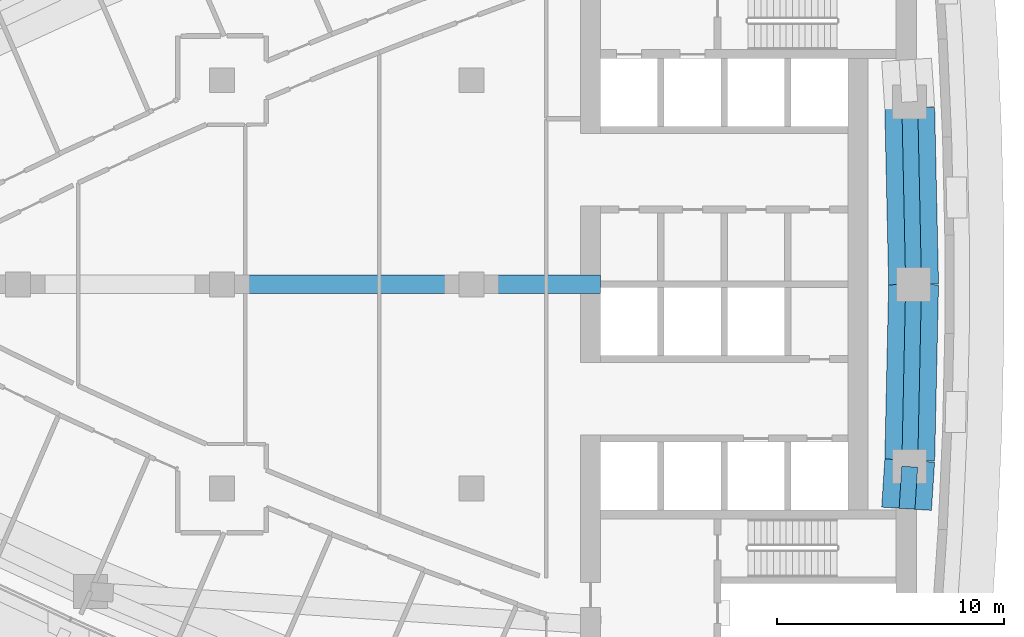
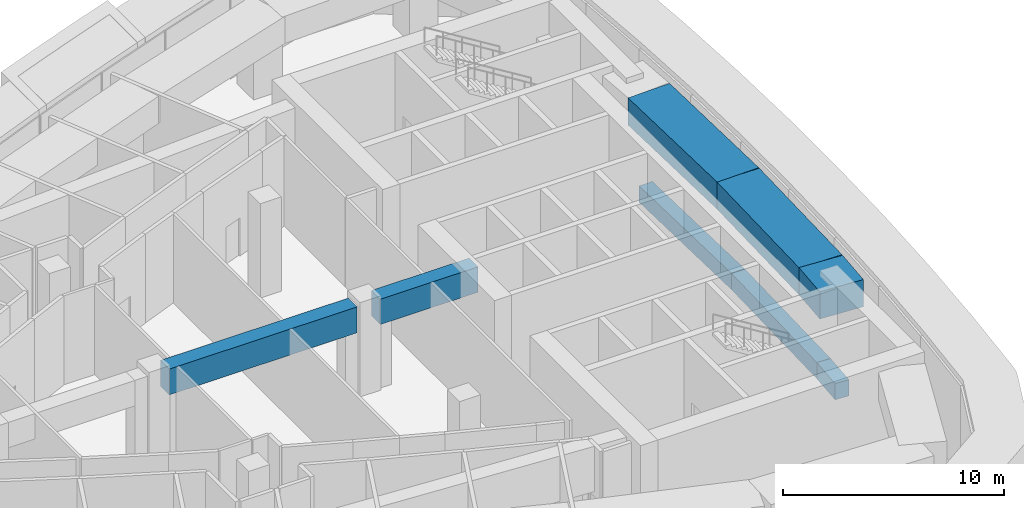
# One storey, part 5 of 18: 8 beams.
"""IFC4 building model written with IfcOpenShell, lengths in metres."""

import ifcopenshell
import ifcopenshell.guid

model = None  # the IFC model being written
_history = None  # IfcOwnerHistory: only IFC2X3 demands one
_inside = {}  # id of a spatial element -> (the spatial element, [elements in it])
_under = {}  # id of a project, library or spatial element -> (it, [spatial elements below it])
_declared = {}  # id of a project -> (the project, [libraries it declares])
_typed = {}  # id of a type object -> (the type object, [elements of that type])
_made_of = {}  # id of a material, layer set ... -> (it, [elements and type objects made of it])


def new_model(schema):
    """Start an empty IFC model of exactly this schema.

    Asked for "IFC4X3", IfcOpenShell would pick the latest addendum, in which some entities
    have other attributes; the version numbers below select the first issue.
    IFC2X3 requires an IfcOwnerHistory on every rooted entity: one is made here for all.
    """
    global model, _history
    if schema == "IFC4X3":
        model = ifcopenshell.file(schema_version=(4, 3, 0, 0))
    else:
        model = ifcopenshell.file(schema=schema)
    _inside.clear()
    _under.clear()
    _declared.clear()
    _typed.clear()
    _made_of.clear()
    _history = None
    if model.schema == "IFC2X3":
        org = make("IfcOrganization", Name="unknown")
        user = make(
            "IfcPersonAndOrganization",
            ThePerson=make("IfcPerson", FamilyName="unknown"),
            TheOrganization=org,
        )
        app = make(
            "IfcApplication",
            ApplicationDeveloper=org,
            Version="unknown",
            ApplicationFullName="unknown",
            ApplicationIdentifier="unknown",
        )
        _history = make(
            "IfcOwnerHistory",
            OwningUser=user,
            OwningApplication=app,
            ChangeAction="ADDED",
            CreationDate=0,
        )
    return model


def make(cls, **values):
    """One entity of the class cls with the attributes given. An attribute that is None is left unset."""
    return model.create_entity(
        cls, **{name: value for name, value in values.items() if value is not None}
    )


def rooted(cls, **values):
    """An entity with a GlobalId (a new one), such as an element, a storey or a relation."""
    return make(cls, GlobalId=ifcopenshell.guid.new(), OwnerHistory=_history, **values)


def si_unit(unit_type, name, prefix=None):
    """IfcSIUnit, for example si_unit("LENGTHUNIT", "METRE", prefix="MILLI")."""
    return make("IfcSIUnit", UnitType=unit_type, Prefix=prefix, Name=name)


def assignment(units):
    """IfcUnitAssignment: the units of a project."""
    return None if units is None else make("IfcUnitAssignment", Units=units)


def point(xyz):
    """IfcCartesianPoint."""
    return None if xyz is None else make("IfcCartesianPoint", Coordinates=xyz)


def direction(xyz):
    """IfcDirection."""
    return None if xyz is None else make("IfcDirection", DirectionRatios=xyz)


def frame(location, z_axis=None, x_axis=None):
    """IfcAxis2Placement3D, a coordinate frame: its origin and axes. An axis left out is left unset."""
    return make(
        "IfcAxis2Placement3D",
        Location=point(location),
        Axis=direction(z_axis),
        RefDirection=direction(x_axis),
    )


def frame_2d(location, x_axis=None):
    """IfcAxis2Placement2D, a coordinate frame in the plane: its origin and x axis."""
    return make(
        "IfcAxis2Placement2D", Location=point(location), RefDirection=direction(x_axis)
    )


def origin():
    """The frame at (0, 0, 0) with its axes left unset."""
    return frame((0.0, 0.0, 0.0))


def origin_2d():
    """The frame at (0, 0) in the plane with its x axis left unset."""
    return frame_2d((0.0, 0.0))


def place(relative_to, where):
    """IfcLocalPlacement: puts the frame where relative to a parent placement (None: the world)."""
    return make(
        "IfcLocalPlacement", PlacementRelTo=relative_to, RelativePlacement=where
    )


def context(
    kind, dimensions, precision=None, world=None, true_north=None, identifier=None
):
    """IfcGeometricRepresentationContext, for example the 3D "Model" context."""
    return make(
        "IfcGeometricRepresentationContext",
        ContextIdentifier=identifier,
        ContextType=kind,
        CoordinateSpaceDimension=dimensions,
        Precision=precision,
        WorldCoordinateSystem=world,
        TrueNorth=true_north,
    )


def subcontext(parent, identifier, kind, view, scale=None):
    """IfcGeometricRepresentationSubContext, for example "Body" below "Model"."""
    return make(
        "IfcGeometricRepresentationSubContext",
        ContextIdentifier=identifier,
        ContextType=kind,
        ParentContext=parent,
        TargetScale=scale,
        TargetView=view,
    )


def project(units=None, contexts=None):
    """IfcProject with its units and contexts."""
    return rooted(
        "IfcProject",
        Name="project",
        RepresentationContexts=contexts,
        UnitsInContext=assignment(units),
    )


def spatial(cls, under=None, at=None, **own):
    """A site, building, storey or space (cls), placed at a placement, below another one or the project."""
    s = rooted(cls, ObjectPlacement=at, **own)
    if under is not None:
        _under.setdefault(under.id(), (under, []))[1].append(s)
    return s


def profile(cls, at=None, kind="AREA", **sizes):
    """A parametric profile (cls). Its sizes go by their IFC names, for example OverallWidth=200.0."""
    return make(cls, ProfileType=kind, Position=at, **sizes)


def rectangle(**sizes):
    """IfcRectangleProfileDef."""
    return profile("IfcRectangleProfileDef", **sizes)


def extrude(swept, where, along, depth):
    """IfcExtrudedAreaSolid: the profile swept, set in the frame where, extruded along a direction by depth."""
    return make(
        "IfcExtrudedAreaSolid",
        SweptArea=swept,
        Position=where,
        ExtrudedDirection=direction(along),
        Depth=depth,
    )


def shape(context_of_items, identifier, shape_type, items):
    """IfcShapeRepresentation: the items that make up one representation, for example the "Body"."""
    return make(
        "IfcShapeRepresentation",
        ContextOfItems=context_of_items,
        RepresentationIdentifier=identifier,
        RepresentationType=shape_type,
        Items=items,
    )


def material(Name=None, Category=None):
    """IfcMaterial."""
    return make("IfcMaterial", Name=Name, Category=Category)


def material_profile(
    of_material, cross_section, Name=None, Category=None, Priority=None
):
    """IfcMaterialProfile: a cross section and its material."""
    return make(
        "IfcMaterialProfile",
        Name=Name,
        Material=of_material,
        Profile=cross_section,
        Priority=Priority,
        Category=Category,
    )


def profile_set(profiles, Name=None, composite=None):
    """IfcMaterialProfileSet."""
    return make(
        "IfcMaterialProfileSet",
        Name=Name,
        MaterialProfiles=profiles,
        CompositeProfile=composite,
    )


def made_of(thing, what):
    """Note that an element or type object is made of a material, layer set ...; save() writes the relation."""
    if what is not None:
        _made_of.setdefault(what.id(), (what, []))[1].append(thing)
    return thing


def type_object(cls, material=None, **own):
    """A type object (cls), such as IfcWallType, which elements share."""
    return made_of(rooted(cls, **own), material)


def element(
    cls,
    number,
    at=None,
    inside=None,
    cuts=None,
    type_object=None,
    material=None,
    context=None,
    identifier="Body",
    shape_type=None,
    held_by="IfcProductDefinitionShape",
    body=None,
    shapes=None,
    **own,
):
    """One element of the class cls, such as IfcWall. Its Tag is "e" and its number.

    at: its placement. inside: the storey or other place that contains it. cuts: it is an
    opening in that element (IfcRelVoidsElement). A single representation is given by context,
    identifier, shape_type and body (its items); several are given by shapes. held_by: the class
    of the entity that holds the representations. save() writes the other relations.
    """
    e = rooted(cls, Tag="e%d" % number, ObjectPlacement=at, **own)
    if body is not None:
        shapes = [shape(context, identifier, shape_type, body)]
    if shapes is not None:
        e.Representation = make(held_by, Representations=shapes)
    if inside is not None:
        _inside.setdefault(inside.id(), (inside, []))[1].append(e)
    if cuts is not None:
        rooted(
            "IfcRelVoidsElement", RelatingBuildingElement=cuts, RelatedOpeningElement=e
        )
    if type_object is not None:
        _typed.setdefault(type_object.id(), (type_object, []))[1].append(e)
    return made_of(e, material)


def aggregate(whole, parts):
    """IfcRelAggregates: a whole, such as a stair, and the parts it consists of."""
    return rooted("IfcRelAggregates", RelatingObject=whole, RelatedObjects=parts)


def save(model, path):
    """Write the relations noted so far, then the file.

    IfcRelAggregates (storeys below a building ...), IfcRelContainedInSpatialStructure (elements
    in a storey), IfcRelDefinesByType, IfcRelAssociatesMaterial and IfcRelDeclares: one each for
    every whole, place, type object, material and project.
    """
    for whole, parts in _under.values():
        aggregate(whole, parts)
    for where, things in _inside.values():
        rooted(
            "IfcRelContainedInSpatialStructure",
            RelatedElements=things,
            RelatingStructure=where,
        )
    for kind, things in _typed.values():
        rooted("IfcRelDefinesByType", RelatedObjects=things, RelatingType=kind)
    for what, things in _made_of.values():
        rooted("IfcRelAssociatesMaterial", RelatedObjects=things, RelatingMaterial=what)
    for by, libraries in _declared.values():
        rooted("IfcRelDeclares", RelatingContext=by, RelatedDefinitions=libraries)
    model.write(path)


model = new_model("IFC4")

# Units and contexts
model_context = context("Model", 3, precision=1e-05, world=origin(), true_north=direction((0.0, 1.0)))
body_context = subcontext(model_context, "Body", "Model", "MODEL_VIEW")
ifc_project = project(units=[si_unit("LENGTHUNIT", "METRE"), si_unit("AREAUNIT", "SQUARE_METRE"), si_unit("VOLUMEUNIT", "CUBIC_METRE"), si_unit("PLANEANGLEUNIT", "RADIAN"), si_unit("MASSUNIT", "GRAM", prefix="KILO")], contexts=[model_context])

# Site, building, storey
site_placement = place(None, origin())
site = spatial("IfcSite", under=ifc_project, at=site_placement, CompositionType="ELEMENT")
building_placement = place(site_placement, origin())
building = spatial("IfcBuilding", under=site, at=building_placement, Name="Ostrand Prow Hotel Tower", CompositionType="ELEMENT")
storey_placement = place(building_placement, frame((0.0, 0.0, 165.699951171875)))
storey = spatial("IfcBuildingStorey", under=building, at=storey_placement, Name="L41", CompositionType="ELEMENT", Elevation=165.699951171875)

# Beams
ifc_material_1 = material(Name="Concrete C70/85", Category="concrete")
ifc_material_profile_1 = material_profile(ifc_material_1, rectangle(XDim=2.199951171875, YDim=1.5, at=origin_2d()), Name="RC 2200x1500")
ifc_profile_set_1 = profile_set([ifc_material_profile_1], Name="Concrete C70/85")
beam_type_1 = type_object("IfcBeamType", Name="Belt girder 2200x1500 C70/85", PredefinedType="BEAM", material=ifc_profile_set_1)
beam_1_placement = place(storey_placement, frame((64.190185546875, -9.89990234375, 4.150146484375), z_axis=(0.065599561108, 0.997846028996, 0.0), x_axis=(-0.997846028996, 0.065599561108, 0.0)))
element("IfcBeam", 1, at=beam_1_placement, inside=storey, type_object=beam_type_1, Name="Belt girder B1-B2", PredefinedType="BEAM", context=body_context, shape_type="SweptSolid", body=[
    extrude(rectangle(XDim=2.199951171875, YDim=1.5, at=origin_2d()), origin(), (0.0, 0.0, 1.0), 2.132568359375),
])
for number, where, z_axis, x_axis, name in (
    (2, (64.330078125, -7.77197265625, 4.150146484375), (0.021858192891, 0.999761081161, 0.0), (-0.999761081161, 0.021858192891, 0.0), "Belt girder B2-B3"),
    (3, (64.5, 0.0, 4.150146484375), (-0.021858192891, 0.999761081161, 0.0), (-0.999761081161, -0.021858192891, 0.0), "Belt girder B3-B4"),
):
    element("IfcBeam", number, at=place(storey_placement, frame(where, z_axis=z_axis, x_axis=x_axis)), inside=storey, type_object=beam_type_1, Name=name, PredefinedType="BEAM", context=body_context, shape_type="SweptSolid", body=[
        extrude(rectangle(XDim=2.199951171875, YDim=1.5, at=origin_2d()), origin(), (0.0, 0.0, 1.0), 7.77392578125),
    ])
ifc_material_2 = material(Name="Concrete C70/85", Category="concrete")
ifc_material_profile_2 = material_profile(ifc_material_2, rectangle(XDim=0.699951171875, YDim=0.89990234375, at=origin_2d()), Name="RC 700x900")
ifc_profile_set_2 = profile_set([ifc_material_profile_2], Name="Concrete C70/85")
beam_type_2 = type_object("IfcBeamType", Name="Edge beam 700x900 C70/85", PredefinedType="SPANDREL", material=ifc_profile_set_2)
beam_2_placement = place(storey_placement, frame((64.21142578125, -9.89990234375, -0.849853515625), z_axis=(0.063563790544, 0.997977777574, 0.0), x_axis=(-0.997977777574, 0.063563790544, 0.0)))
element("IfcBeam", 4, at=beam_2_placement, inside=storey, type_object=beam_type_2, Name="Edge beam B1-B2", PredefinedType="SPANDREL", context=body_context, shape_type="SweptSolid", body=[
    extrude(rectangle(XDim=0.699951171875, YDim=0.89990234375, at=origin_2d()), origin(), (0.0, 0.0, 1.0), 1.85888671875),
])
for number, where, z_axis, x_axis, name in (
    (5, (64.32958984375, -8.044677734375, -0.849853515625), (0.021178217658, 0.999775716397, 0.0), (-0.999775716397, 0.021178217658, 0.0), "Edge beam B2-B3"),
    (6, (64.5, 0.0, -0.849853515625), (-0.021178217658, 0.999775716397, 0.0), (-0.999775716397, -0.021178217658, 0.0), "Edge beam B3-B4"),
):
    element("IfcBeam", number, at=place(storey_placement, frame(where, z_axis=z_axis, x_axis=x_axis)), inside=storey, type_object=beam_type_2, Name=name, PredefinedType="SPANDREL", context=body_context, shape_type="SweptSolid", body=[
        extrude(rectangle(XDim=0.699951171875, YDim=0.89990234375, at=origin_2d()), origin(), (0.0, 0.0, 1.0), 8.04638671875),
    ])
ifc_material_3 = material(Name="Concrete C70/85", Category="concrete")
ifc_material_profile_3 = material_profile(ifc_material_3, rectangle(XDim=0.800048828125, YDim=1.39990234375, at=origin_2d()), Name="RC 800x1400")
ifc_profile_set_3 = profile_set([ifc_material_profile_3], Name="Concrete C70/85")
beam_type_3 = type_object("IfcBeamType", Name="Outrigger lintel 800x1400 C70/85", PredefinedType="LINTEL", material=ifc_profile_set_3)
beam_3_placement = place(storey_placement, frame((45.60009765625, 0.0, 4.199951171875), z_axis=(1.0, 0.0, 0.0), x_axis=(0.0, 1.0, 0.0)))
element("IfcBeam", 7, at=beam_3_placement, inside=storey, type_object=beam_type_3, Name="Outrigger lintel A5", PredefinedType="LINTEL", context=body_context, shape_type="SweptSolid", body=[
    extrude(rectangle(XDim=0.800048828125, YDim=1.39990234375, at=origin_2d()), origin(), (0.0, 0.0, 1.0), 5.099853515625),
])
ifc_material_4 = material(Name="Concrete C70/85", Category="concrete")
ifc_material_profile_4 = material_profile(ifc_material_4, rectangle(XDim=0.800048828125, YDim=1.429931640625, at=origin_2d()), Name="RC 800x1430")
ifc_profile_set_4 = profile_set([ifc_material_profile_4], Name="Concrete C70/85")
beam_type_4 = type_object("IfcBeamType", Name="Outrigger lintel 800x1430 C70/85", PredefinedType="LINTEL", material=ifc_profile_set_4)
beam_4_placement = place(storey_placement, frame((34.60009765625, 0.0, 4.18505859375), z_axis=(1.0, 0.0, 0.0), x_axis=(0.0, 1.0, 0.0)))
element("IfcBeam", 8, at=beam_4_placement, inside=storey, type_object=beam_type_4, Name="Outrigger lintel A4", PredefinedType="LINTEL", context=body_context, shape_type="SweptSolid", body=[
    extrude(rectangle(XDim=0.800048828125, YDim=1.429931640625, at=origin_2d()), origin(), (0.0, 0.0, 1.0), 9.7998046875),
])

save(model, "model.ifc")
